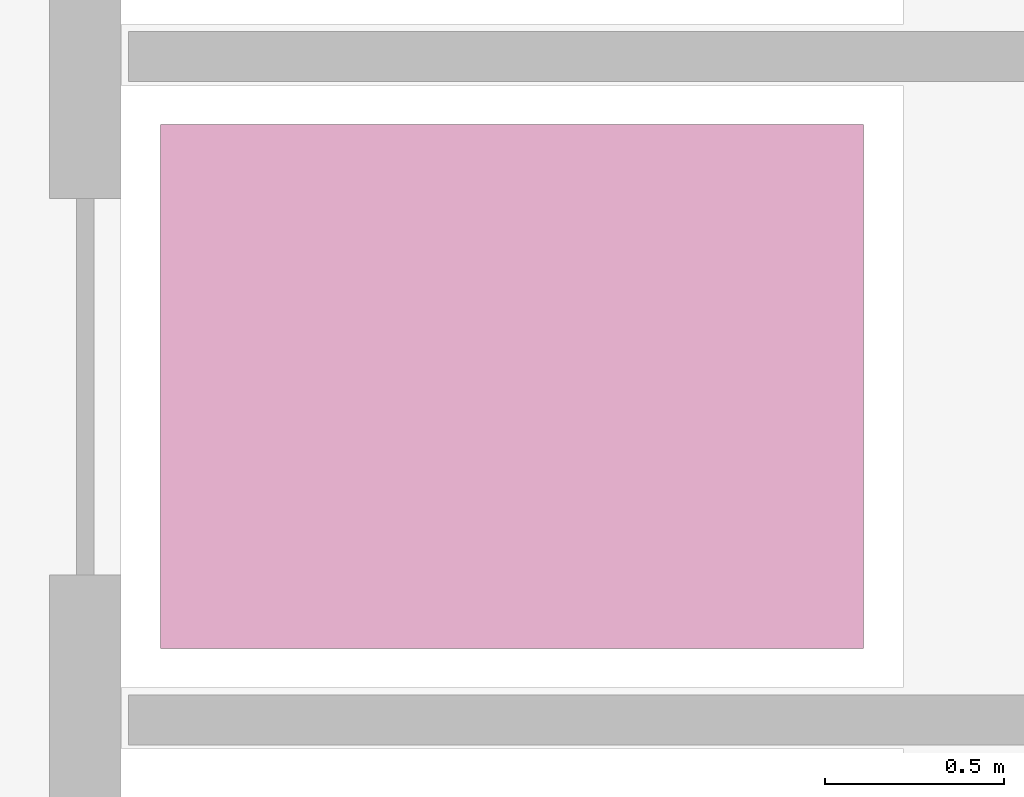
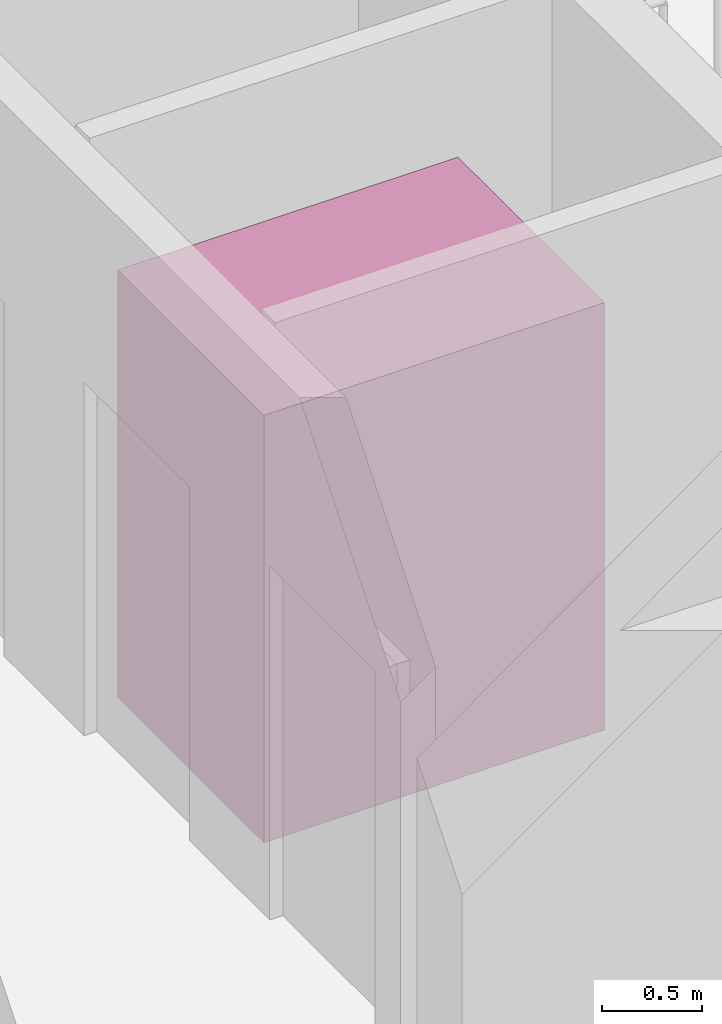
# One storey, part 11 of 11: 1 transport element.
"""IFC4 building model written with IfcOpenShell, lengths in metres."""

from ifc_helpers import new_model, si_unit, direction, frame, origin, origin_2d, place, context, subcontext, project, spatial, rectangle, extrude, material, type_object, element, save


model = new_model("IFC4")

# Units and contexts
model_context = context("Model", 3, precision=1e-05, world=origin(), true_north=direction((0.0, 1.0)))
body_context = subcontext(model_context, "Body", "Model", "MODEL_VIEW")
ifc_project = project(units=[si_unit("LENGTHUNIT", "METRE"), si_unit("AREAUNIT", "SQUARE_METRE"), si_unit("VOLUMEUNIT", "CUBIC_METRE"), si_unit("PLANEANGLEUNIT", "RADIAN"), si_unit("MASSUNIT", "GRAM", prefix="KILO")], contexts=[model_context])

# Site, building, storey
site_placement = place(None, origin())
site = spatial("IfcSite", under=ifc_project, at=site_placement, CompositionType="ELEMENT")
building_placement = place(site_placement, origin())
building = spatial("IfcBuilding", under=site, at=building_placement, Name="Oramaril Tower", CompositionType="ELEMENT")
storey_placement = place(building_placement, frame((0.0, 0.0, 112.199951171875)))
storey = spatial("IfcBuildingStorey", under=building, at=storey_placement, Name="L29", CompositionType="ELEMENT", Elevation=112.199951171875)

# Transport element
ifc_material = material(Name="Stainless Steel 316L", Category="steel")
transport_element_type = type_object("IfcTransportElementType", Name="LFT-PAX", PredefinedType="ELEVATOR", material=ifc_material)
transport_element_placement = place(storey_placement, frame((39.85009765625, 14.35009765625, 0.0), z_axis=(0.0, 0.0, 1.0), x_axis=(1.0, 0.0, 0.0)))
element("IfcTransportElement", 1, at=transport_element_placement, inside=storey, type_object=transport_element_type, Name="Elevator Car LP-M2", PredefinedType="ELEVATOR", context=body_context, shape_type="SweptSolid", body=[
    extrude(rectangle(XDim=1.9599609375, YDim=1.4599609375, at=origin_2d()), origin(), (0.0, 0.0, 1.0), 2.60009765625),
])

save(model, "model.ifc")
